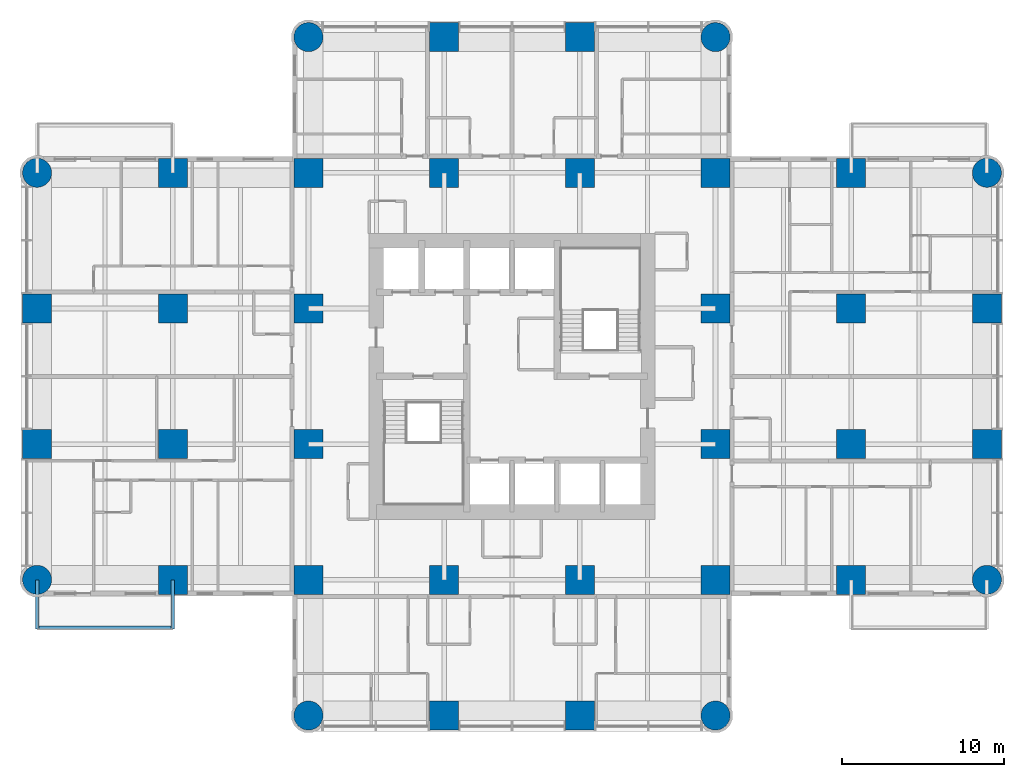
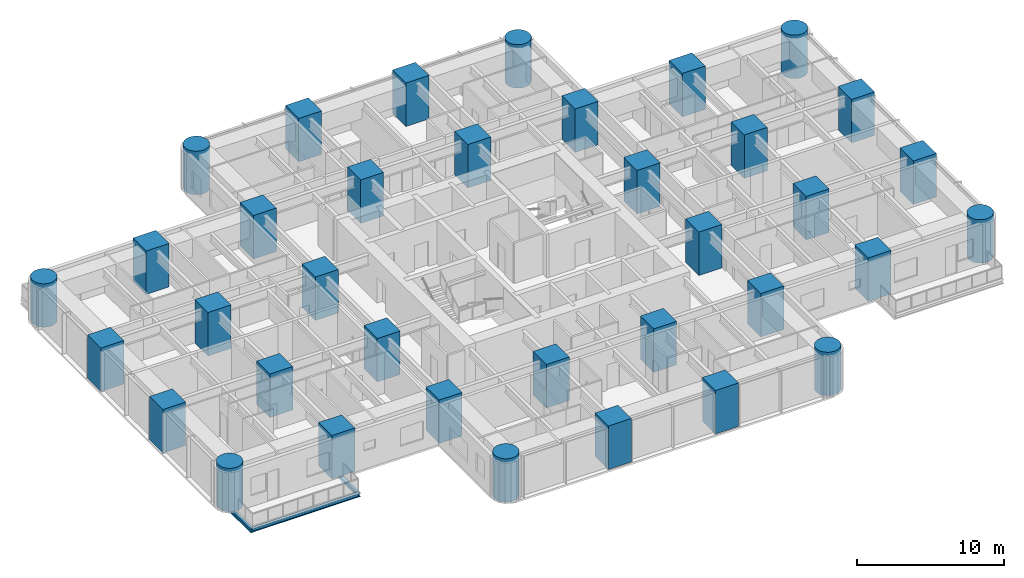
# One storey, part 1 of 14: 36 columns, 3 beams.
"""IFC4 building model written with IfcOpenShell, lengths in metres."""

from ifc_helpers import new_model, si_unit, direction, frame, origin, origin_2d, place, context, subcontext, project, spatial, rectangle, circle, i_section, extrude, material, material_profile, profile_set, type_object, element, save


model = new_model("IFC4")

# Units and contexts
model_context = context("Model", 3, precision=1e-05, world=origin(), true_north=direction((0.0, 1.0)))
body_context = subcontext(model_context, "Body", "Model", "MODEL_VIEW")
ifc_project = project(units=[si_unit("LENGTHUNIT", "METRE"), si_unit("AREAUNIT", "SQUARE_METRE"), si_unit("VOLUMEUNIT", "CUBIC_METRE"), si_unit("PLANEANGLEUNIT", "RADIAN"), si_unit("MASSUNIT", "GRAM", prefix="KILO")], contexts=[model_context])

# Site, building, storey
site_placement = place(None, origin())
site = spatial("IfcSite", under=ifc_project, at=site_placement, CompositionType="ELEMENT")
building_placement = place(site_placement, origin())
building = spatial("IfcBuilding", under=site, at=building_placement, Name="Torre Alcanfor", CompositionType="ELEMENT")
storey_placement = place(building_placement, frame((0.0, 0.0, 173.699951171875)))
storey = spatial("IfcBuildingStorey", under=building, at=storey_placement, Name="L45", CompositionType="ELEMENT", Elevation=173.699951171875)

# Columns
ifc_material_1 = material(Name="Concrete f'c 70 MPa", Category="concrete")
ifc_material_profile_1 = material_profile(ifc_material_1, rectangle(XDim=1.800048828125, YDim=1.800048828125, at=origin_2d()), Name="1800x1800")
ifc_profile_set_1 = profile_set([ifc_material_profile_1], Name="Concrete f'c 70 MPa")
column_type_1 = type_object("IfcColumnType", Name="RC column 1800x1800 f'c70", PredefinedType="COLUMN", material=ifc_profile_set_1)
for number, where, z_axis, x_axis, name in (
    (1, (0.0, 25.199951171875, 0.0), (0.0, 0.0, 1.0), (1.0, 0.0, 0.0), "Column 1/F L45"),
    (2, (0.0, 33.60009765625, 0.0), (0.0, 0.0, 1.0), (1.0, 0.0, 0.0), "Column 1/G L45"),
    (3, (8.39990234375, 16.800048828125, 0.0), (0.0, 0.0, 1.0), (1.0, 0.0, 0.0), "Column 2/E L45"),
    (4, (8.39990234375, 25.199951171875, 0.0), (0.0, 0.0, 1.0), (1.0, 0.0, 0.0), "Column 2/F L45"),
    (5, (8.39990234375, 33.60009765625, 0.0), (0.0, 0.0, 1.0), (1.0, 0.0, 0.0), "Column 2/G L45"),
    (6, (8.39990234375, 42.0, 0.0), (0.0, 0.0, 1.0), (1.0, 0.0, 0.0), "Column 2/H L45"),
    (7, (16.800048828125, 16.800048828125, 0.0), (0.0, 0.0, 1.0), (1.0, 0.0, 0.0), "Column 3/E L45"),
    (8, (16.800048828125, 25.199951171875, 0.0), (0.0, 0.0, 1.0), (1.0, 0.0, 0.0), "Column 3/F L45"),
    (9, (16.800048828125, 33.60009765625, 0.0), (0.0, 0.0, 1.0), (1.0, 0.0, 0.0), "Column 3/G L45"),
    (10, (16.800048828125, 42.0, 0.0), (0.0, 0.0, 1.0), (1.0, 0.0, 0.0), "Column 3/H L45"),
    (11, (25.199951171875, 8.39990234375, 0.0), (0.0, 0.0, 1.0), (1.0, 0.0, 0.0), "Column 4/D L45"),
    (12, (25.199951171875, 16.800048828125, 0.0), (0.0, 0.0, 1.0), (1.0, 0.0, 0.0), "Column 4/E L45"),
    (13, (25.199951171875, 42.0, 0.0), (0.0, 0.0, 1.0), (1.0, 0.0, 0.0), "Column 4/H L45"),
    (14, (25.199951171875, 50.39990234375, 0.0), (0.0, 0.0, 1.0), (1.0, 0.0, 0.0), "Column 4/J L45"),
    (15, (33.60009765625, 8.39990234375, 0.0), (0.0, 0.0, 1.0), (1.0, 0.0, 0.0), "Column 5/D L45"),
    (16, (33.60009765625, 16.800048828125, 0.0), (0.0, 0.0, 1.0), (1.0, 0.0, 0.0), "Column 5/E L45"),
    (17, (33.60009765625, 42.0, 0.0), (0.0, 0.0, 1.0), (1.0, 0.0, 0.0), "Column 5/H L45"),
    (18, (33.60009765625, 50.39990234375, 0.0), (0.0, 0.0, 1.0), (1.0, 0.0, 0.0), "Column 5/J L45"),
    (19, (42.0, 16.800048828125, 0.0), (0.0, 0.0, 1.0), (1.0, 0.0, 0.0), "Column 6/E L45"),
    (20, (42.0, 25.199951171875, 0.0), (0.0, 0.0, 1.0), (1.0, 0.0, 0.0), "Column 6/F L45"),
    (21, (42.0, 33.60009765625, 0.0), (0.0, 0.0, 1.0), (1.0, 0.0, 0.0), "Column 6/G L45"),
    (22, (42.0, 42.0, 0.0), (0.0, 0.0, 1.0), (1.0, 0.0, 0.0), "Column 6/H L45"),
    (23, (50.39990234375, 16.800048828125, 0.0), (0.0, 0.0, 1.0), (1.0, 0.0, 0.0), "Column 7/E L45"),
    (24, (50.39990234375, 25.199951171875, 0.0), (0.0, 0.0, 1.0), (1.0, 0.0, 0.0), "Column 7/F L45"),
    (25, (50.39990234375, 33.60009765625, 0.0), (0.0, 0.0, 1.0), (1.0, 0.0, 0.0), "Column 7/G L45"),
    (26, (50.39990234375, 42.0, 0.0), (0.0, 0.0, 1.0), (1.0, 0.0, 0.0), "Column 7/H L45"),
    (27, (58.800048828125, 25.199951171875, 0.0), (0.0, 0.0, 1.0), (1.0, 0.0, 0.0), "Column 8/F L45"),
    (28, (58.800048828125, 33.60009765625, 0.0), (0.0, 0.0, 1.0), (1.0, 0.0, 0.0), "Column 8/G L45"),
):
    element("IfcColumn", number, at=place(storey_placement, frame(where, z_axis=z_axis, x_axis=x_axis)), inside=storey, type_object=column_type_1, Name=name, PredefinedType="COLUMN", context=body_context, shape_type="SweptSolid", body=[
        extrude(rectangle(XDim=1.800048828125, YDim=1.800048828125, at=origin_2d()), origin(), (0.0, 0.0, 1.0), 3.60009765625),
    ])
ifc_material_2 = material(Name="Concrete f'c 70 MPa", Category="concrete")
ifc_material_profile_2 = material_profile(ifc_material_2, circle(Radius=0.89990234375, at=origin_2d()), Name="D1800")
ifc_profile_set_2 = profile_set([ifc_material_profile_2], Name="Concrete f'c 70 MPa")
column_type_2 = type_object("IfcColumnType", Name="RC column D1800 f'c70", PredefinedType="COLUMN", material=ifc_profile_set_2)
for number, where, z_axis, x_axis, name in (
    (29, (0.0, 16.800048828125, 0.0), (0.0, 0.0, 1.0), (1.0, 0.0, 0.0), "Column 1/E L45"),
    (30, (0.0, 42.0, 0.0), (0.0, 0.0, 1.0), (1.0, 0.0, 0.0), "Column 1/H L45"),
    (31, (16.800048828125, 8.39990234375, 0.0), (0.0, 0.0, 1.0), (1.0, 0.0, 0.0), "Column 3/D L45"),
    (32, (16.800048828125, 50.39990234375, 0.0), (0.0, 0.0, 1.0), (1.0, 0.0, 0.0), "Column 3/J L45"),
    (33, (42.0, 8.39990234375, 0.0), (0.0, 0.0, 1.0), (1.0, 0.0, 0.0), "Column 6/D L45"),
    (34, (42.0, 50.39990234375, 0.0), (0.0, 0.0, 1.0), (1.0, 0.0, 0.0), "Column 6/J L45"),
    (35, (58.800048828125, 16.800048828125, 0.0), (0.0, 0.0, 1.0), (1.0, 0.0, 0.0), "Column 8/E L45"),
    (36, (58.800048828125, 42.0, 0.0), (0.0, 0.0, 1.0), (1.0, 0.0, 0.0), "Column 8/H L45"),
):
    element("IfcColumn", number, at=place(storey_placement, frame(where, z_axis=z_axis, x_axis=x_axis)), inside=storey, type_object=column_type_2, Name=name, PredefinedType="COLUMN", context=body_context, shape_type="SweptSolid", body=[
        extrude(circle(Radius=0.89990234375, at=origin_2d()), origin(), (0.0, 0.0, 1.0), 3.60009765625),
    ])

# Beams
ifc_material_3 = material(Name="Steel ASTM A992 Grade 50", Category="steel")
ifc_material_profile_3 = material_profile(ifc_material_3, i_section(OverallWidth=0.205322265625, OverallDepth=0.309814453125, WebThickness=0.00927734375, FlangeThickness=0.016357421875, at=origin_2d()), Name="W12x50")
ifc_profile_set_3 = profile_set([ifc_material_profile_3], Name="Steel ASTM A992 Grade 50")
beam_type_1 = type_object("IfcBeamType", Name="Balcony cantilever beam W12x50", PredefinedType="BEAM", material=ifc_profile_set_3)
for number, where, z_axis, x_axis, name in (
    (37, (8.39990234375, 16.800048828125, -0.35498046875), (0.0, -1.0, 0.0), (1.0, 0.0, 0.0), "Balcony cantilever beam L45-W1 1"),
    (38, (0.0, 16.800048828125, -0.35498046875), (0.0, -1.0, 0.0), (1.0, 0.0, 0.0), "Balcony cantilever beam L45-W1 2"),
):
    element("IfcBeam", number, at=place(storey_placement, frame(where, z_axis=z_axis, x_axis=x_axis)), inside=storey, type_object=beam_type_1, Name=name, PredefinedType="BEAM", context=body_context, shape_type="SweptSolid", body=[
        extrude(i_section(OverallWidth=0.205322265625, OverallDepth=0.309814453125, WebThickness=0.00927734375, FlangeThickness=0.016357421875, at=origin_2d()), origin(), (0.0, 0.0, 1.0), 3.050048828125),
    ])
ifc_material_4 = material(Name="Steel ASTM A992 Grade 50", Category="steel")
ifc_material_profile_4 = material_profile(ifc_material_4, i_section(OverallWidth=0.203369140625, OverallDepth=0.30224609375, WebThickness=0.007568359375, FlangeThickness=0.01318359375, at=origin_2d()), Name="W12x40")
ifc_profile_set_4 = profile_set([ifc_material_profile_4], Name="Steel ASTM A992 Grade 50")
beam_type_2 = type_object("IfcBeamType", Name="Balcony edge trimmer W12x40", PredefinedType="BEAM", material=ifc_profile_set_4)
beam_placement = place(storey_placement, frame((8.39990234375, 13.851806640625, -0.35107421875), z_axis=(-1.0, 0.0, 0.0), x_axis=(0.0, -1.0, 0.0)))
element("IfcBeam", 39, at=beam_placement, inside=storey, type_object=beam_type_2, Name="Balcony edge trimmer L45-W1", PredefinedType="BEAM", context=body_context, shape_type="SweptSolid", body=[
    extrude(i_section(OverallWidth=0.203369140625, OverallDepth=0.30224609375, WebThickness=0.007568359375, FlangeThickness=0.01318359375, at=origin_2d()), origin(), (0.0, 0.0, 1.0), 8.39990234375),
])

save(model, "model.ifc")
